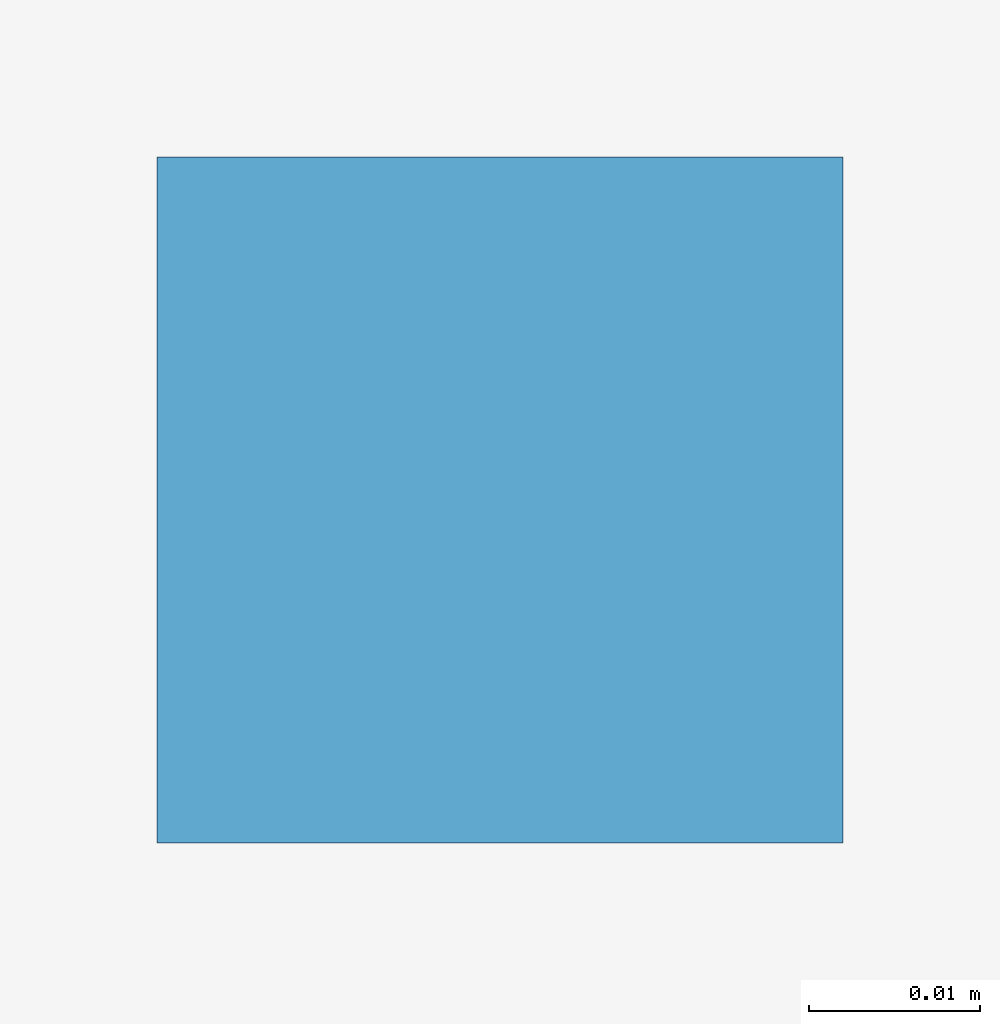
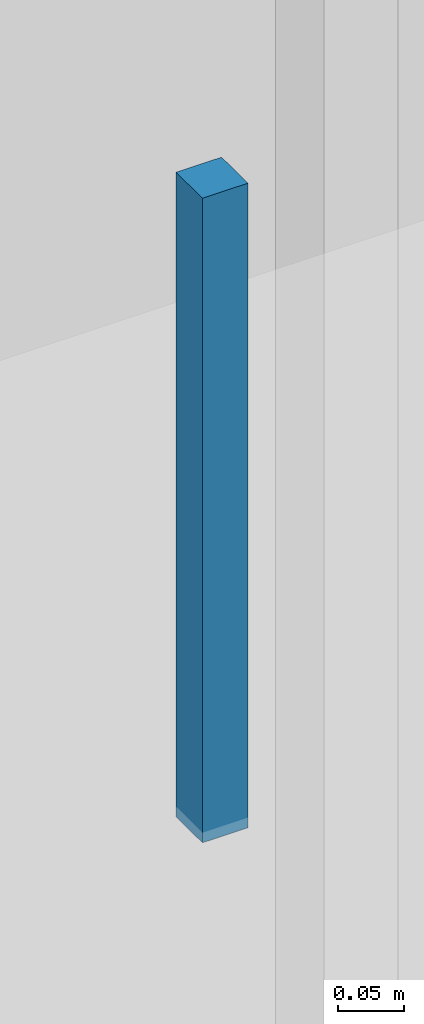
# One storey, part 58 of 74: 1 discrete accessory.
"""IFC4 building model written with IfcOpenShell, lengths in metres."""

from ifc_helpers import new_model, si_unit, direction, frame, origin, origin_2d, place, context, subcontext, project, spatial, rectangle, extrude, material, type_object, element, save


model = new_model("IFC4")

# Units and contexts
model_context = context("Model", 3, precision=1e-05, world=origin(), true_north=direction((0.0, 1.0)))
body_context = subcontext(model_context, "Body", "Model", "MODEL_VIEW")
ifc_project = project(units=[si_unit("LENGTHUNIT", "METRE"), si_unit("AREAUNIT", "SQUARE_METRE"), si_unit("VOLUMEUNIT", "CUBIC_METRE"), si_unit("PLANEANGLEUNIT", "RADIAN"), si_unit("MASSUNIT", "GRAM", prefix="KILO")], contexts=[model_context])

# Site, building, storey
site_placement = place(None, origin())
site = spatial("IfcSite", under=ifc_project, at=site_placement, CompositionType="ELEMENT")
building_placement = place(site_placement, origin())
building = spatial("IfcBuilding", under=site, at=building_placement, Name="Alvorim Cloister Faculty of Sciences", CompositionType="ELEMENT")
storey_placement = place(building_placement, frame((0.0, 0.0, 15.75)))
storey = spatial("IfcBuildingStorey", under=building, at=storey_placement, Name="L04", CompositionType="ELEMENT", Elevation=15.75)

# Discrete accessory
ifc_material = material(Name="Galvanised Painted Steel", Category="steel")
discrete_accessory_type = type_object("IfcDiscreteAccessoryType", Name="ACC-CEIL-ROD", PredefinedType="BRACKET", material=ifc_material)
discrete_accessory_placement = place(storey_placement, frame((97.75, 27.14990234375, 2.81005859375), z_axis=(0.0, 0.0, 1.0), x_axis=(1.0, 0.0, 0.0)))
element("IfcDiscreteAccessory", 1, at=discrete_accessory_placement, inside=storey, type_object=discrete_accessory_type, Name="Ceiling Suspension Bracket ACC-ROD-032", PredefinedType="BRACKET", context=body_context, shape_type="SweptSolid", body=[
    extrude(rectangle(XDim=0.0400390625, YDim=0.0400390625, at=origin_2d()), origin(), (0.0, 0.0, 1.0), 0.599853515625),
])

save(model, "model.ifc")
